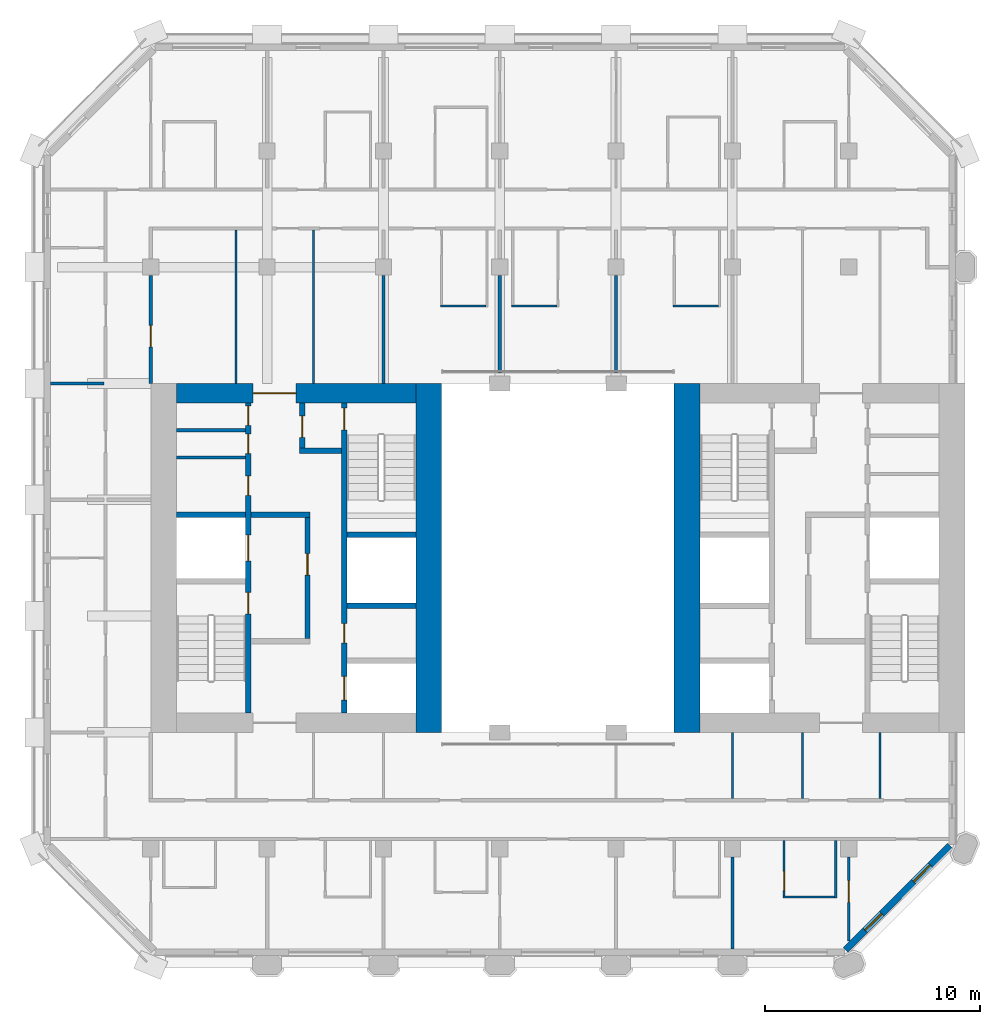
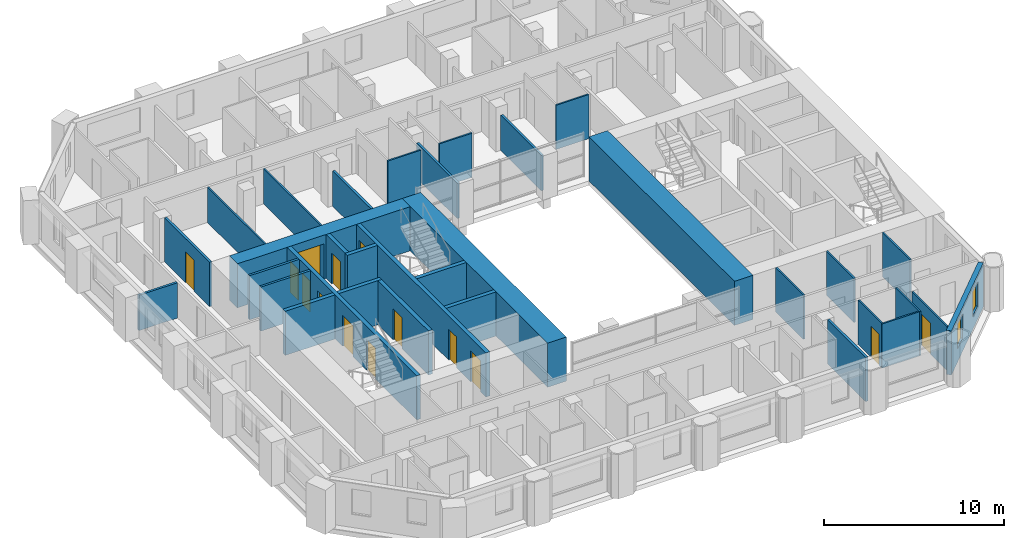
# One storey, part 8 of 14: 33 walls, 14 doors, 2 windows, 16 openings.
"""IFC4 building model written with IfcOpenShell, lengths in metres."""

from ifc_helpers import new_model, si_unit, direction, frame, frame_2d, origin, place, context, subcontext, project, spatial, rectangle, extrude, material, layer, layer_set, type_object, element, fill, save


model = new_model("IFC4")

# Units and contexts
model_context = context("Model", 3, precision=1e-05, world=origin(), true_north=direction((0.0, 1.0)))
body_context = subcontext(model_context, "Body", "Model", "MODEL_VIEW")
ifc_project = project(units=[si_unit("LENGTHUNIT", "METRE"), si_unit("AREAUNIT", "SQUARE_METRE"), si_unit("VOLUMEUNIT", "CUBIC_METRE"), si_unit("PLANEANGLEUNIT", "RADIAN"), si_unit("MASSUNIT", "GRAM", prefix="KILO")], contexts=[model_context])

# Site, building, storey
site_placement = place(None, origin())
site = spatial("IfcSite", under=ifc_project, at=site_placement, CompositionType="ELEMENT")
building_placement = place(site_placement, origin())
building = spatial("IfcBuilding", under=site, at=building_placement, Name="Tabaq Tower and Sports Hall", CompositionType="ELEMENT")
storey_placement = place(building_placement, frame((0.0, 0.0, 223.60009765625)))
storey = spatial("IfcBuildingStorey", under=building, at=storey_placement, Name="L56", CompositionType="ELEMENT", Elevation=223.60009765625)

# Walls
ifc_material_1 = material(Name="Blockwork", Category="masonry")
ifc_layer_1 = layer(ifc_material_1, 0.14990234375)
ifc_layer_set_1 = layer_set([ifc_layer_1], Name="Core room partition 150 Blockwork")
wall_type_1 = type_object("IfcWallType", Name="Core room partition 150 Blockwork", PredefinedType="PARTITIONING", material=ifc_layer_set_1)
for number, where, z_axis, x_axis, name in (
    (1, (6.60009765625, 28.962890625, 0.0), (0.0, 0.0, 1.0), (1.0, 0.0, 0.0), "Core room partition W L56"),
    (2, (6.60009765625, 30.23193359375, 0.0), (0.0, 0.0, 1.0), (1.0, 0.0, 0.0), "Core room partition W L56"),
):
    element("IfcWall", number, at=place(storey_placement, frame(where, z_axis=z_axis, x_axis=x_axis)), inside=storey, type_object=wall_type_1, Name=name, PredefinedType="PARTITIONING", context=body_context, shape_type="SweptSolid", body=[
        extrude(rectangle(XDim=3.199951171875, YDim=0.14990234375, at=frame_2d((1.60009765625, 0.0))), origin(), (0.0, 0.0, 1.0), 3.0),
    ])
ifc_material_2 = material(Name="Concrete C50/60", Category="concrete")
ifc_layer_2 = layer(ifc_material_2, 1.199951171875)
ifc_layer_set_2 = layer_set([ifc_layer_2], Name="Core wall 1200 Concrete C50/60")
wall_type_2 = type_object("IfcWallType", Name="Core wall 1200 Concrete C50/60", PredefinedType="SOLIDWALL", material=ifc_layer_set_2)
for number, where, z_axis, x_axis, name in (
    (3, (18.300048828125, 32.39990234375, 0.0), (0.0, 0.0, 1.0), (0.0, -1.0, 0.0), "Core wall W L56"),
    (4, (30.300048828125, 16.199951171875, 0.0), (0.0, 0.0, 1.0), (0.0, 1.0, 0.0), "Core wall E L56"),
):
    element("IfcWall", number, at=place(storey_placement, frame(where, z_axis=z_axis, x_axis=x_axis)), inside=storey, type_object=wall_type_2, Name=name, PredefinedType="SOLIDWALL", context=body_context, shape_type="SweptSolid", body=[
        extrude(rectangle(XDim=16.199951171875, YDim=1.199951171875, at=frame_2d((8.10009765625, 0.0))), origin(), (0.0, 0.0, 1.0), 3.0),
    ])

# Wall, opening, door
ifc_material_3 = material(Name="Concrete C50/60", Category="concrete")
ifc_layer_3 = layer(ifc_material_3, 0.89990234375)
ifc_layer_set_3 = layer_set([ifc_layer_3], Name="Core wall 900 Concrete C50/60")
wall_type_3 = type_object("IfcWallType", Name="Core wall 900 Concrete C50/60", PredefinedType="SOLIDWALL", material=ifc_layer_set_3)
wall_1_placement = place(storey_placement, frame((6.60009765625, 31.949951171875, 0.0), z_axis=(0.0, 0.0, 1.0), x_axis=(1.0, 0.0, 0.0)))
wall_1 = element("IfcWall", 5, at=wall_1_placement, inside=storey, type_object=wall_type_3, Name="Core wall W L56", PredefinedType="SOLIDWALL", context=body_context, shape_type="SweptSolid", body=[
    extrude(rectangle(XDim=11.099853515625, YDim=0.89990234375, at=frame_2d((5.5498046875, 0.0))), origin(), (0.0, 0.0, 1.0), 3.0),
])
opening_1_placement = place(wall_1_placement, frame((3.550048828125, 0.0, 0.0)))
opening_1 = element("IfcOpeningElement", 6, at=opening_1_placement, cuts=wall_1, Name="Opening PD-WL56-02", PredefinedType="OPENING", context=body_context, shape_type="SweptSolid", body=[
    extrude(rectangle(XDim=2.0, YDim=2.39990234375, at=frame_2d((1.0, 1.199951171875))), frame((0.0, 0.449951171875, 0.0), z_axis=(0.0, -1.0, 0.0), x_axis=(1.0, 0.0, 0.0)), (0.0, 0.0, 1.0), 0.89990234375),
])
ifc_material_4 = material(Name="Steel fire door", Category="steel")
door_type_1 = type_object("IfcDoorType", Name="Core entrance door 2000", OperationType="DOUBLE_DOOR_SINGLE_SWING", PredefinedType="DOOR", material=ifc_material_4)
door_1_placement = place(opening_1_placement, origin())
door_1 = element("IfcDoor", 7, at=door_1_placement, inside=storey, type_object=door_type_1, Name="Core entrance north W L56", OperationType="DOUBLE_DOOR_SINGLE_SWING", OverallHeight=2.39990234375, OverallWidth=2.0, PredefinedType="DOOR", context=body_context, shape_type="SweptSolid", body=[
    extrude(rectangle(XDim=2.0, YDim=2.39990234375, at=frame_2d((1.0, 1.199951171875))), frame((0.0, 0.02490234375, 0.0), z_axis=(0.0, -1.0, 0.0), x_axis=(1.0, 0.0, 0.0)), (0.0, 0.0, 1.0), 0.050048828125),
])
fill(opening_1, door_1)

# Walls
ifc_material_5 = material(Name="Gypsum board on steel studs", Category="steel")
ifc_layer_4 = layer(ifc_material_5, 0.10009765625)
ifc_layer_set_4 = layer_set([ifc_layer_4], Name="Partition 100 Gypsum board")
wall_type_4 = type_object("IfcWallType", Name="Partition 100 Gypsum board", PredefinedType="PARTITIONING", material=ifc_layer_set_4)
for number, where, z_axis, x_axis, name in (
    (8, (31.75, 36.0, 0.0), (0.0, 0.0, 1.0), (-1.0, 0.0, 0.0), "Partition wall L56"),
    (9, (24.25, 36.0, 0.0), (0.0, 0.0, 1.0), (-1.0, 0.0, 0.0), "Partition wall L56"),
):
    element("IfcWall", number, at=place(storey_placement, frame(where, z_axis=z_axis, x_axis=x_axis)), inside=storey, type_object=wall_type_4, Name=name, PredefinedType="PARTITIONING", context=body_context, shape_type="SweptSolid", body=[
        extrude(rectangle(XDim=2.10009765625, YDim=0.10009765625, at=frame_2d((1.050048828125, 0.0))), origin(), (0.0, 0.0, 1.0), 3.0),
    ])
wall_2_placement = place(storey_placement, frame((20.949951171875, 36.0, 0.0), z_axis=(0.0, 0.0, 1.0), x_axis=(-1.0, 0.0, 0.0)))
element("IfcWall", 10, at=wall_2_placement, inside=storey, type_object=wall_type_4, Name="Partition wall L56", PredefinedType="PARTITIONING", context=body_context, shape_type="SweptSolid", body=[
    extrude(rectangle(XDim=2.099853515625, YDim=0.10009765625, at=frame_2d((1.0498046875, 0.0))), origin(), (0.0, 0.0, 1.0), 3.0),
])
for number, where, z_axis, x_axis, name in (
    (11, (12.949951171875, 32.39990234375, 0.0), (0.0, 0.0, 1.0), (0.0, 1.0, 0.0), "Partition wall L56"),
    (12, (9.35009765625, 39.52490234375, 0.0), (0.0, 0.0, 1.0), (0.0, -1.0, 0.0), "Partition wall L56"),
):
    element("IfcWall", number, at=place(storey_placement, frame(where, z_axis=z_axis, x_axis=x_axis)), inside=storey, type_object=wall_type_4, Name=name, PredefinedType="PARTITIONING", context=body_context, shape_type="SweptSolid", body=[
        extrude(rectangle(XDim=7.125, YDim=0.10009765625, at=frame_2d((3.5625, 0.0))), origin(), (0.0, 0.0, 1.0), 2.39990234375),
    ])

# Wall, opening, door
wall_3_placement = place(storey_placement, frame((37.800048828125, 6.51220703125, 0.0), z_axis=(0.0, 0.0, 1.0), x_axis=(0.0, 1.0, 0.0)))
wall_3 = element("IfcWall", 13, at=wall_3_placement, inside=storey, type_object=wall_type_4, Name="Partition wall L56", PredefinedType="PARTITIONING", context=body_context, shape_type="SweptSolid", body=[
    extrude(rectangle(XDim=3.892822265625, YDim=0.10009765625, at=frame_2d((1.9462890625, 0.0))), origin(), (0.0, 0.0, 1.0), 3.0),
])
opening_2_placement = place(wall_3_placement, frame((1.80029296875, 0.0, 0.0)))
opening_2 = element("IfcOpeningElement", 14, at=opening_2_placement, cuts=wall_3, Name="Opening L56-041", PredefinedType="OPENING", context=body_context, shape_type="SweptSolid", body=[
    extrude(rectangle(XDim=1.0, YDim=2.10009765625, at=frame_2d((0.5, 1.050048828125))), frame((0.0, 0.050048828125, 0.0), z_axis=(0.0, -1.0, 0.0), x_axis=(1.0, 0.0, 0.0)), (0.0, 0.0, 1.0), 0.10009765625),
])
ifc_material_6 = material(Name="Timber leaf in steel frame", Category="steel")
door_type_2 = type_object("IfcDoorType", Name="Internal door 1000 right hand", OperationType="SINGLE_SWING_RIGHT", PredefinedType="DOOR", material=ifc_material_6)
door_2_placement = place(opening_2_placement, origin())
door_2 = element("IfcDoor", 15, at=door_2_placement, inside=storey, type_object=door_type_2, Name="Internal door L56-041", OperationType="SINGLE_SWING_RIGHT", OverallHeight=2.10009765625, OverallWidth=1.0, PredefinedType="DOOR", context=body_context, shape_type="SweptSolid", body=[
    extrude(rectangle(XDim=1.0, YDim=2.10009765625, at=frame_2d((0.5, 1.050048828125))), frame((0.0, 0.02490234375, 0.0), z_axis=(0.0, -1.0, 0.0), x_axis=(1.0, 0.0, 0.0)), (0.0, 0.0, 1.0), 0.050048828125),
])
fill(opening_2, door_2)

# Walls
wall_4_placement = place(storey_placement, frame((37.199951171875, 11.175048828125, 0.0), z_axis=(0.0, 0.0, 1.0), x_axis=(0.0, -1.0, 0.0)))
element("IfcWall", 16, at=wall_4_placement, inside=storey, type_object=wall_type_4, Name="Partition wall L56", PredefinedType="PARTITIONING", context=body_context, shape_type="SweptSolid", body=[
    extrude(rectangle(XDim=2.675048828125, YDim=0.10009765625, at=frame_2d((1.33740234375, 0.0))), origin(), (0.0, 0.0, 1.0), 3.0),
])
wall_5_placement = place(storey_placement, frame((37.14990234375, 8.550048828125, 0.0), z_axis=(0.0, 0.0, 1.0), x_axis=(-1.0, 0.0, 0.0)))
element("IfcWall", 17, at=wall_5_placement, inside=storey, type_object=wall_type_4, Name="Partition wall L56", PredefinedType="PARTITIONING", context=body_context, shape_type="SweptSolid", body=[
    extrude(rectangle(XDim=2.39990234375, YDim=0.10009765625, at=frame_2d((1.199951171875, 0.0))), origin(), (0.0, 0.0, 1.0), 3.0),
])

# Wall, opening, door
wall_6_placement = place(storey_placement, frame((34.800048828125, 8.60009765625, 0.0), z_axis=(0.0, 0.0, 1.0), x_axis=(0.0, 1.0, 0.0)))
wall_6 = element("IfcWall", 18, at=wall_6_placement, inside=storey, type_object=wall_type_4, Name="Partition wall L56", PredefinedType="PARTITIONING", context=body_context, shape_type="SweptSolid", body=[
    extrude(rectangle(XDim=2.574951171875, YDim=0.10009765625, at=frame_2d((1.28759765625, 0.0))), origin(), (0.0, 0.0, 1.0), 3.0),
])
opening_3_placement = place(wall_6_placement, frame((0.25, 0.0, 0.0)))
opening_3 = element("IfcOpeningElement", 19, at=opening_3_placement, cuts=wall_6, Name="Opening L56-016", PredefinedType="OPENING", context=body_context, shape_type="SweptSolid", body=[
    extrude(rectangle(XDim=0.89990234375, YDim=2.10009765625, at=frame_2d((0.449951171875, 1.050048828125))), frame((0.0, 0.050048828125, 0.0), z_axis=(0.0, -1.0, 0.0), x_axis=(1.0, 0.0, 0.0)), (0.0, 0.0, 1.0), 0.10009765625),
])
ifc_material_7 = material(Name="Timber leaf in steel frame", Category="steel")
door_type_3 = type_object("IfcDoorType", Name="Internal door 900 right hand", OperationType="SINGLE_SWING_RIGHT", PredefinedType="DOOR", material=ifc_material_7)
door_3_placement = place(opening_3_placement, origin())
door_3 = element("IfcDoor", 20, at=door_3_placement, inside=storey, type_object=door_type_3, Name="Internal door L56-016", OperationType="SINGLE_SWING_RIGHT", OverallHeight=2.10009765625, OverallWidth=0.89990234375, PredefinedType="DOOR", context=body_context, shape_type="SweptSolid", body=[
    extrude(rectangle(XDim=0.89990234375, YDim=2.10009765625, at=frame_2d((0.449951171875, 1.050048828125))), frame((0.0, 0.02490234375, 0.0), z_axis=(0.0, -1.0, 0.0), x_axis=(1.0, 0.0, 0.0)), (0.0, 0.0, 1.0), 0.050048828125),
])
fill(opening_3, door_3)

# Walls
for number, where, z_axis, x_axis, name in (
    (21, (32.39990234375, 13.125, 0.0), (0.0, 0.0, 1.0), (0.0, 1.0, 0.0), "Partition wall L56"),
    (22, (39.25, 13.125, 0.0), (0.0, 0.0, 1.0), (0.0, 1.0, 0.0), "Partition wall L56"),
    (23, (35.64990234375, 16.199951171875, 0.0), (0.0, 0.0, 1.0), (0.0, -1.0, 0.0), "Partition wall L56"),
):
    element("IfcWall", number, at=place(storey_placement, frame(where, z_axis=z_axis, x_axis=x_axis)), inside=storey, type_object=wall_type_4, Name=name, PredefinedType="PARTITIONING", context=body_context, shape_type="SweptSolid", body=[
        extrude(rectangle(XDim=3.074951171875, YDim=0.10009765625, at=frame_2d((1.53759765625, 0.0))), origin(), (0.0, 0.0, 1.0), 3.0),
    ])
ifc_material_8 = material(Name="Blockwork", Category="masonry")
ifc_layer_5 = layer(ifc_material_8, 0.14990234375)
ifc_layer_set_5 = layer_set([ifc_layer_5], Name="Separating wall 150 Blockwork")
wall_type_5 = type_object("IfcWallType", Name="Separating wall 150 Blockwork", PredefinedType="PARTITIONING", material=ifc_layer_set_5)
for number, where, z_axis, x_axis, name in (
    (24, (27.0, 37.405029296875, 0.0), (0.0, 0.0, 1.0), (0.0, -1.0, 0.0), "Separating wall L56"),
    (25, (21.60009765625, 37.405029296875, 0.0), (0.0, 0.0, 1.0), (0.0, -1.0, 0.0), "Separating wall L56"),
):
    element("IfcWall", number, at=place(storey_placement, frame(where, z_axis=z_axis, x_axis=x_axis)), inside=storey, type_object=wall_type_5, Name=name, PredefinedType="PARTITIONING", context=body_context, shape_type="SweptSolid", body=[
        extrude(rectangle(XDim=4.510009765625, YDim=0.14990234375, at=frame_2d((2.2548828125, 0.0))), origin(), (0.0, 0.0, 1.0), 2.39990234375),
    ])
wall_7_placement = place(storey_placement, frame((16.199951171875, 37.405029296875, 0.0), z_axis=(0.0, 0.0, 1.0), x_axis=(0.0, -1.0, 0.0)))
element("IfcWall", 26, at=wall_7_placement, inside=storey, type_object=wall_type_5, Name="Separating wall L56", PredefinedType="PARTITIONING", context=body_context, shape_type="SweptSolid", body=[
    extrude(rectangle(XDim=5.005126953125, YDim=0.14990234375, at=frame_2d((2.50244140625, 0.0))), origin(), (0.0, 0.0, 1.0), 2.39990234375),
])
wall_8_placement = place(storey_placement, frame((0.7509765625, 32.39990234375, 0.0), z_axis=(0.0, 0.0, 1.0), x_axis=(1.0, 0.0, 0.0)))
element("IfcWall", 27, at=wall_8_placement, inside=storey, type_object=wall_type_5, Name="Separating wall L56", PredefinedType="PARTITIONING", context=body_context, shape_type="SweptSolid", body=[
    extrude(rectangle(XDim=2.47412109375, YDim=0.14990234375, at=frame_2d((1.237060546875, 0.0))), origin(), (0.0, 0.0, 1.0), 2.39990234375),
])

# Wall, opening, door
wall_9_placement = place(storey_placement, frame((5.39990234375, 32.39990234375, 0.0), z_axis=(0.0, 0.0, 1.0), x_axis=(0.0, 1.0, 0.0)))
wall_9 = element("IfcWall", 28, at=wall_9_placement, inside=storey, type_object=wall_type_5, Name="Separating wall L56", PredefinedType="PARTITIONING", context=body_context, shape_type="SweptSolid", body=[
    extrude(rectangle(XDim=5.005126953125, YDim=0.14990234375, at=frame_2d((2.50244140625, 0.0))), origin(), (0.0, 0.0, 1.0), 3.0),
])
opening_4_placement = place(wall_9_placement, frame((1.699951171875, 0.0, 0.0)))
opening_4 = element("IfcOpeningElement", 29, at=opening_4_placement, cuts=wall_9, Name="Opening L56-013", PredefinedType="OPENING", context=body_context, shape_type="SweptSolid", body=[
    extrude(rectangle(XDim=1.0, YDim=2.10009765625, at=frame_2d((0.5, 1.050048828125))), frame((0.0, 0.074951171875, 0.0), z_axis=(0.0, -1.0, 0.0), x_axis=(1.0, 0.0, 0.0)), (0.0, 0.0, 1.0), 0.14990234375),
])
door_4_placement = place(opening_4_placement, origin())
door_4 = element("IfcDoor", 30, at=door_4_placement, inside=storey, type_object=door_type_2, Name="Internal door L56-013", OperationType="SINGLE_SWING_RIGHT", OverallHeight=2.10009765625, OverallWidth=1.0, PredefinedType="DOOR", context=body_context, shape_type="SweptSolid", body=[
    extrude(rectangle(XDim=1.0, YDim=2.10009765625, at=frame_2d((0.5, 1.050048828125))), frame((0.0, 0.02490234375, 0.0), z_axis=(0.0, -1.0, 0.0), x_axis=(1.0, 0.0, 0.0)), (0.0, 0.0, 1.0), 0.050048828125),
])
fill(opening_4, door_4)

# Wall
wall_10_placement = place(storey_placement, frame((32.39990234375, 10.405029296875, 0.0), z_axis=(0.0, 0.0, 1.0), x_axis=(0.0, -1.0, 0.0)))
element("IfcWall", 31, at=wall_10_placement, inside=storey, type_object=wall_type_5, Name="Separating wall L56", PredefinedType="PARTITIONING", context=body_context, shape_type="SweptSolid", body=[
    extrude(rectangle(XDim=4.254150390625, YDim=0.14990234375, at=frame_2d((2.126953125, 0.0))), origin(), (0.0, 0.0, 1.0), 3.0),
])

# Wall, openings, doors
ifc_material_9 = material(Name="Concrete C40/50", Category="concrete")
ifc_layer_6 = layer(ifc_material_9, 0.25)
ifc_layer_set_6 = layer_set([ifc_layer_6], Name="Shaft and stair wall 250 Concrete C40/50")
wall_type_6 = type_object("IfcWallType", Name="Shaft and stair wall 250 Concrete C40/50", PredefinedType="SOLIDWALL", material=ifc_layer_set_6)
wall_11_placement = place(storey_placement, frame((9.925048828125, 17.10009765625, 0.0), z_axis=(0.0, 0.0, 1.0), x_axis=(0.0, 1.0, 0.0)))
wall_11 = element("IfcWall", 32, at=wall_11_placement, inside=storey, type_object=wall_type_6, Name="Shaft wall W L56", PredefinedType="SOLIDWALL", context=body_context, shape_type="SweptSolid", body=[
    extrude(rectangle(XDim=14.39990234375, YDim=0.25, at=frame_2d((7.199951171875, 0.0))), origin(), (0.0, 0.0, 1.0), 3.0),
])
opening_5_placement = place(wall_11_placement, frame((4.60009765625, 0.0, 0.0)))
opening_5 = element("IfcOpeningElement", 33, at=opening_5_placement, cuts=wall_11, Name="Opening SD-WL56-03", PredefinedType="OPENING", context=body_context, shape_type="SweptSolid", body=[
    extrude(rectangle(XDim=1.0, YDim=2.10009765625, at=frame_2d((0.5, 1.050048828125))), frame((0.0, 0.125, 0.0), z_axis=(0.0, -1.0, 0.0), x_axis=(1.0, 0.0, 0.0)), (0.0, 0.0, 1.0), 0.25),
])
opening_6_placement = place(wall_11_placement, frame((7.0625, 0.0, 0.0)))
opening_6 = element("IfcOpeningElement", 34, at=opening_6_placement, cuts=wall_11, Name="Opening LD-FF1-L56", PredefinedType="OPENING", context=body_context, shape_type="SweptSolid", body=[
    extrude(rectangle(XDim=1.199951171875, YDim=2.10009765625, at=frame_2d((0.60009765625, 1.050048828125))), frame((0.0, 0.125, 0.0), z_axis=(0.0, -1.0, 0.0), x_axis=(1.0, 0.0, 0.0)), (0.0, 0.0, 1.0), 0.25),
])
opening_7_placement = place(wall_11_placement, frame((10.1064453125, 0.0, 0.0)))
opening_7 = element("IfcOpeningElement", 35, at=opening_7_placement, cuts=wall_11, Name="Opening RD-WL56-09", PredefinedType="OPENING", context=body_context, shape_type="SweptSolid", body=[
    extrude(rectangle(XDim=0.89990234375, YDim=2.10009765625, at=frame_2d((0.449951171875, 1.050048828125))), frame((0.0, 0.125, 0.0), z_axis=(0.0, -1.0, 0.0), x_axis=(1.0, 0.0, 0.0)), (0.0, 0.0, 1.0), 0.25),
])
opening_8_placement = place(wall_11_placement, frame((12.047607421875, 0.0, 0.0)))
opening_8 = element("IfcOpeningElement", 36, at=opening_8_placement, cuts=wall_11, Name="Opening RD-WL56-10", PredefinedType="OPENING", context=body_context, shape_type="SweptSolid", body=[
    extrude(rectangle(XDim=0.89990234375, YDim=2.10009765625, at=frame_2d((0.449951171875, 1.050048828125))), frame((0.0, 0.125, 0.0), z_axis=(0.0, -1.0, 0.0), x_axis=(1.0, 0.0, 0.0)), (0.0, 0.0, 1.0), 0.25),
])
opening_9_placement = place(wall_11_placement, frame((13.353515625, 0.0, 0.0)))
opening_9 = element("IfcOpeningElement", 37, at=opening_9_placement, cuts=wall_11, Name="Opening RD-WL56-11", PredefinedType="OPENING", context=body_context, shape_type="SweptSolid", body=[
    extrude(rectangle(XDim=0.89990234375, YDim=2.10009765625, at=frame_2d((0.449951171875, 1.050048828125))), frame((0.0, 0.125, 0.0), z_axis=(0.0, -1.0, 0.0), x_axis=(1.0, 0.0, 0.0)), (0.0, 0.0, 1.0), 0.25),
])
ifc_material_10 = material(Name="Steel fire door", Category="steel")
door_type_4 = type_object("IfcDoorType", Name="Core room door 900", OperationType="SINGLE_SWING_LEFT", PredefinedType="DOOR", material=ifc_material_10)
door_5_placement = place(opening_7_placement, origin())
door_5 = element("IfcDoor", 38, at=door_5_placement, inside=storey, type_object=door_type_4, Name="Door Unisex WC W L56", OperationType="SINGLE_SWING_LEFT", OverallHeight=2.10009765625, OverallWidth=0.89990234375, PredefinedType="DOOR", context=body_context, shape_type="SweptSolid", body=[
    extrude(rectangle(XDim=0.89990234375, YDim=2.10009765625, at=frame_2d((0.449951171875, 1.050048828125))), frame((0.0, 0.02490234375, 0.0), z_axis=(0.0, -1.0, 0.0), x_axis=(1.0, 0.0, 0.0)), (0.0, 0.0, 1.0), 0.050048828125),
])
fill(opening_7, door_5)
door_6_placement = place(opening_8_placement, origin())
door_6 = element("IfcDoor", 39, at=door_6_placement, inside=storey, type_object=door_type_4, Name="Door Cleaner's Store W L56", OperationType="SINGLE_SWING_LEFT", OverallHeight=2.10009765625, OverallWidth=0.89990234375, PredefinedType="DOOR", context=body_context, shape_type="SweptSolid", body=[
    extrude(rectangle(XDim=0.89990234375, YDim=2.10009765625, at=frame_2d((0.449951171875, 1.050048828125))), frame((0.0, 0.02490234375, 0.0), z_axis=(0.0, -1.0, 0.0), x_axis=(1.0, 0.0, 0.0)), (0.0, 0.0, 1.0), 0.050048828125),
])
fill(opening_8, door_6)
door_7_placement = place(opening_9_placement, origin())
door_7 = element("IfcDoor", 40, at=door_7_placement, inside=storey, type_object=door_type_4, Name="Door Accessible WC W L56", OperationType="SINGLE_SWING_LEFT", OverallHeight=2.10009765625, OverallWidth=0.89990234375, PredefinedType="DOOR", context=body_context, shape_type="SweptSolid", body=[
    extrude(rectangle(XDim=0.89990234375, YDim=2.10009765625, at=frame_2d((0.449951171875, 1.050048828125))), frame((0.0, 0.02490234375, 0.0), z_axis=(0.0, -1.0, 0.0), x_axis=(1.0, 0.0, 0.0)), (0.0, 0.0, 1.0), 0.050048828125),
])
fill(opening_9, door_7)
ifc_material_11 = material(Name="Stainless steel", Category="steel")
door_type_5 = type_object("IfcDoorType", Name="Lift landing door 1200", OperationType="DOUBLE_DOOR_SLIDING", PredefinedType="DOOR", material=ifc_material_11)
door_8_placement = place(opening_6_placement, origin())
door_8 = element("IfcDoor", 41, at=door_8_placement, inside=storey, type_object=door_type_5, Name="Lift landing door FF1 W L56", OperationType="DOUBLE_DOOR_SLIDING", OverallHeight=2.10009765625, OverallWidth=1.199951171875, PredefinedType="DOOR", context=body_context, shape_type="SweptSolid", body=[
    extrude(rectangle(XDim=1.199951171875, YDim=2.10009765625, at=frame_2d((0.60009765625, 1.050048828125))), frame((0.0, 0.02490234375, 0.0), z_axis=(0.0, -1.0, 0.0), x_axis=(1.0, 0.0, 0.0)), (0.0, 0.0, 1.0), 0.050048828125),
])
fill(opening_6, door_8)
ifc_material_12 = material(Name="Steel fire door", Category="steel")
door_type_6 = type_object("IfcDoorType", Name="Stair door 1000", OperationType="SINGLE_SWING_LEFT", PredefinedType="DOOR", material=ifc_material_12)
door_9_placement = place(opening_5_placement, origin())
door_9 = element("IfcDoor", 42, at=door_9_placement, inside=storey, type_object=door_type_6, Name="Stair door ST1 W L56", OperationType="SINGLE_SWING_LEFT", OverallHeight=2.10009765625, OverallWidth=1.0, PredefinedType="DOOR", context=body_context, shape_type="SweptSolid", body=[
    extrude(rectangle(XDim=1.0, YDim=2.10009765625, at=frame_2d((0.5, 1.050048828125))), frame((0.0, 0.02490234375, 0.0), z_axis=(0.0, -1.0, 0.0), x_axis=(1.0, 0.0, 0.0)), (0.0, 0.0, 1.0), 0.050048828125),
])
fill(opening_5, door_9)

wall_12_placement = place(storey_placement, frame((14.375, 17.10009765625, 0.0), z_axis=(0.0, 0.0, 1.0), x_axis=(0.0, 1.0, 0.0)))
wall_12 = element("IfcWall", 43, at=wall_12_placement, inside=storey, type_object=wall_type_6, Name="Shaft wall W L56", PredefinedType="SOLIDWALL", context=body_context, shape_type="SweptSolid", body=[
    extrude(rectangle(XDim=14.39990234375, YDim=0.25, at=frame_2d((7.199951171875, 0.0))), origin(), (0.0, 0.0, 1.0), 3.0),
])
opening_10_placement = place(wall_12_placement, frame((13.14990234375, 0.0, 0.0)))
opening_10 = element("IfcOpeningElement", 44, at=opening_10_placement, cuts=wall_12, Name="Opening SD-WL56-05", PredefinedType="OPENING", context=body_context, shape_type="SweptSolid", body=[
    extrude(rectangle(XDim=1.0, YDim=2.10009765625, at=frame_2d((0.5, 1.050048828125))), frame((0.0, 0.125, 0.0), z_axis=(0.0, -1.0, 0.0), x_axis=(1.0, 0.0, 0.0)), (0.0, 0.0, 1.0), 0.25),
])
opening_11_placement = place(wall_12_placement, frame((0.60009765625, 0.0, 0.0)))
opening_11 = element("IfcOpeningElement", 45, at=opening_11_placement, cuts=wall_12, Name="Opening LD-MR1-L56", PredefinedType="OPENING", context=body_context, shape_type="SweptSolid", body=[
    extrude(rectangle(XDim=1.10009765625, YDim=2.10009765625, at=frame_2d((0.550048828125, 1.050048828125))), frame((0.0, 0.125, 0.0), z_axis=(0.0, -1.0, 0.0), x_axis=(1.0, 0.0, 0.0)), (0.0, 0.0, 1.0), 0.25),
])
opening_12_placement = place(wall_12_placement, frame((3.25, 0.0, 0.0)))
opening_12 = element("IfcOpeningElement", 46, at=opening_12_placement, cuts=wall_12, Name="Opening RD-WL56-12", PredefinedType="OPENING", context=body_context, shape_type="SweptSolid", body=[
    extrude(rectangle(XDim=0.89990234375, YDim=2.10009765625, at=frame_2d((0.449951171875, 1.050048828125))), frame((0.0, 0.125, 0.0), z_axis=(0.0, -1.0, 0.0), x_axis=(1.0, 0.0, 0.0)), (0.0, 0.0, 1.0), 0.25),
])
door_10_placement = place(opening_12_placement, origin())
door_10 = element("IfcDoor", 47, at=door_10_placement, inside=storey, type_object=door_type_4, Name="Door Cleaner's Store W L56", OperationType="SINGLE_SWING_LEFT", OverallHeight=2.10009765625, OverallWidth=0.89990234375, PredefinedType="DOOR", context=body_context, shape_type="SweptSolid", body=[
    extrude(rectangle(XDim=0.89990234375, YDim=2.10009765625, at=frame_2d((0.449951171875, 1.050048828125))), frame((0.0, 0.02490234375, 0.0), z_axis=(0.0, -1.0, 0.0), x_axis=(1.0, 0.0, 0.0)), (0.0, 0.0, 1.0), 0.050048828125),
])
fill(opening_12, door_10)
ifc_material_13 = material(Name="Stainless steel", Category="steel")
door_type_7 = type_object("IfcDoorType", Name="Lift landing door 1100", OperationType="DOUBLE_DOOR_SLIDING", PredefinedType="DOOR", material=ifc_material_13)
door_11_placement = place(opening_11_placement, origin())
door_11 = element("IfcDoor", 48, at=door_11_placement, inside=storey, type_object=door_type_7, Name="Lift landing door MR1 W L56", OperationType="DOUBLE_DOOR_SLIDING", OverallHeight=2.10009765625, OverallWidth=1.10009765625, PredefinedType="DOOR", context=body_context, shape_type="SweptSolid", body=[
    extrude(rectangle(XDim=1.10009765625, YDim=2.10009765625, at=frame_2d((0.550048828125, 1.050048828125))), frame((0.0, 0.02490234375, 0.0), z_axis=(0.0, -1.0, 0.0), x_axis=(1.0, 0.0, 0.0)), (0.0, 0.0, 1.0), 0.050048828125),
])
fill(opening_11, door_11)
door_12_placement = place(opening_10_placement, origin())
door_12 = element("IfcDoor", 49, at=door_12_placement, inside=storey, type_object=door_type_6, Name="Stair door ST2 W L56", OperationType="SINGLE_SWING_LEFT", OverallHeight=2.10009765625, OverallWidth=1.0, PredefinedType="DOOR", context=body_context, shape_type="SweptSolid", body=[
    extrude(rectangle(XDim=1.0, YDim=2.10009765625, at=frame_2d((0.5, 1.050048828125))), frame((0.0, 0.02490234375, 0.0), z_axis=(0.0, -1.0, 0.0), x_axis=(1.0, 0.0, 0.0)), (0.0, 0.0, 1.0), 0.050048828125),
])
fill(opening_10, door_12)

# Walls
for number, where, z_axis, x_axis, name in (
    (50, (14.5, 25.375, 0.0), (0.0, 0.0, 1.0), (1.0, 0.0, 0.0), "Stair enclosure wall W L56"),
    (51, (14.5, 22.074951171875, 0.0), (0.0, 0.0, 1.0), (1.0, 0.0, 0.0), "Shaft wall W L56"),
    (52, (6.60009765625, 26.300048828125, 0.0), (0.0, 0.0, 1.0), (1.0, 0.0, 0.0), "Shaft wall W L56"),
):
    element("IfcWall", number, at=place(storey_placement, frame(where, z_axis=z_axis, x_axis=x_axis)), inside=storey, type_object=wall_type_6, Name=name, PredefinedType="SOLIDWALL", context=body_context, shape_type="SweptSolid", body=[
        extrude(rectangle(XDim=3.199951171875, YDim=0.25, at=frame_2d((1.60009765625, 0.0))), origin(), (0.0, 0.0, 1.0), 3.0),
    ])
wall_13_placement = place(storey_placement, frame((10.050048828125, 26.300048828125, 0.0), z_axis=(0.0, 0.0, 1.0), x_axis=(1.0, 0.0, 0.0)))
element("IfcWall", 53, at=wall_13_placement, inside=storey, type_object=wall_type_6, Name="Fire-fighting lobby wall W L56", PredefinedType="SOLIDWALL", context=body_context, shape_type="SweptSolid", body=[
    extrude(rectangle(XDim=2.75, YDim=0.25, at=frame_2d((1.375, 0.0))), origin(), (0.0, 0.0, 1.0), 3.0),
])

# Wall, opening, door
wall_14_placement = place(storey_placement, frame((12.425048828125, 29.39990234375, 0.0), z_axis=(0.0, 0.0, 1.0), x_axis=(0.0, 1.0, 0.0)))
wall_14 = element("IfcWall", 54, at=wall_14_placement, inside=storey, type_object=wall_type_6, Name="Fire-fighting lobby wall W L56", PredefinedType="SOLIDWALL", context=body_context, shape_type="SweptSolid", body=[
    extrude(rectangle(XDim=2.10009765625, YDim=0.25, at=frame_2d((1.050048828125, 0.0))), origin(), (0.0, 0.0, 1.0), 3.0),
])
opening_13_placement = place(wall_14_placement, frame((0.5, 0.0, 0.0)))
opening_13 = element("IfcOpeningElement", 55, at=opening_13_placement, cuts=wall_14, Name="Opening FD-WL56-06", PredefinedType="OPENING", context=body_context, shape_type="SweptSolid", body=[
    extrude(rectangle(XDim=1.0, YDim=2.10009765625, at=frame_2d((0.5, 1.050048828125))), frame((0.0, 0.125, 0.0), z_axis=(0.0, -1.0, 0.0), x_axis=(1.0, 0.0, 0.0)), (0.0, 0.0, 1.0), 0.25),
])
ifc_material_14 = material(Name="Steel fire door", Category="steel")
door_type_8 = type_object("IfcDoorType", Name="Fire-fighting lobby door 1000", OperationType="SINGLE_SWING_LEFT", PredefinedType="DOOR", material=ifc_material_14)
door_13_placement = place(opening_13_placement, origin())
door_13 = element("IfcDoor", 56, at=door_13_placement, inside=storey, type_object=door_type_8, Name="Stair lobby door W L56", OperationType="SINGLE_SWING_LEFT", OverallHeight=2.10009765625, OverallWidth=1.0, PredefinedType="DOOR", context=body_context, shape_type="SweptSolid", body=[
    extrude(rectangle(XDim=1.0, YDim=2.10009765625, at=frame_2d((0.5, 1.050048828125))), frame((0.0, 0.02490234375, 0.0), z_axis=(0.0, -1.0, 0.0), x_axis=(1.0, 0.0, 0.0)), (0.0, 0.0, 1.0), 0.050048828125),
])
fill(opening_13, door_13)

# Wall
wall_15_placement = place(storey_placement, frame((12.300048828125, 29.27490234375, 0.0), z_axis=(0.0, 0.0, 1.0), x_axis=(1.0, 0.0, 0.0)))
element("IfcWall", 57, at=wall_15_placement, inside=storey, type_object=wall_type_6, Name="Fire-fighting lobby wall W L56", PredefinedType="SOLIDWALL", context=body_context, shape_type="SweptSolid", body=[
    extrude(rectangle(XDim=1.949951171875, YDim=0.25, at=frame_2d((0.97509765625, 0.0))), origin(), (0.0, 0.0, 1.0), 3.0),
])

# Wall, opening, door
wall_16_placement = place(storey_placement, frame((12.675048828125, 20.550048828125, 0.0), z_axis=(0.0, 0.0, 1.0), x_axis=(0.0, 1.0, 0.0)))
wall_16 = element("IfcWall", 58, at=wall_16_placement, inside=storey, type_object=wall_type_6, Name="Fire-fighting lobby wall W L56", PredefinedType="SOLIDWALL", context=body_context, shape_type="SweptSolid", body=[
    extrude(rectangle(XDim=5.625, YDim=0.25, at=frame_2d((2.8125, 0.0))), origin(), (0.0, 0.0, 1.0), 3.0),
])
opening_14_placement = place(wall_16_placement, frame((2.949951171875, 0.0, 0.0)))
opening_14 = element("IfcOpeningElement", 59, at=opening_14_placement, cuts=wall_16, Name="Opening FD-WL56-04", PredefinedType="OPENING", context=body_context, shape_type="SweptSolid", body=[
    extrude(rectangle(XDim=1.0, YDim=2.10009765625, at=frame_2d((0.5, 1.050048828125))), frame((0.0, 0.125, 0.0), z_axis=(0.0, -1.0, 0.0), x_axis=(1.0, 0.0, 0.0)), (0.0, 0.0, 1.0), 0.25),
])
door_14_placement = place(opening_14_placement, origin())
door_14 = element("IfcDoor", 60, at=door_14_placement, inside=storey, type_object=door_type_8, Name="Fire-fighting lobby door W L56", OperationType="SINGLE_SWING_LEFT", OverallHeight=2.10009765625, OverallWidth=1.0, PredefinedType="DOOR", context=body_context, shape_type="SweptSolid", body=[
    extrude(rectangle(XDim=1.0, YDim=2.10009765625, at=frame_2d((0.5, 1.050048828125))), frame((0.0, 0.02490234375, 0.0), z_axis=(0.0, -1.0, 0.0), x_axis=(1.0, 0.0, 0.0)), (0.0, 0.0, 1.0), 0.050048828125),
])
fill(opening_14, door_14)

# Wall, openings, windows
ifc_material_15 = material(Name="White precast concrete C60/75", Category="concrete")
ifc_layer_7 = layer(ifc_material_15, 0.300048828125)
ifc_layer_set_7 = layer_set([ifc_layer_7], Name="White precast concrete C60/75 external wall 300")
wall_type_7 = type_object("IfcWallType", Name="White precast concrete C60/75 external wall 300", PredefinedType="SOLIDWALL", material=ifc_layer_set_7)
wall_17_placement = place(storey_placement, frame((37.650390625, 6.098876953125, 0.0), z_axis=(0.0, 0.0, 1.0), x_axis=(0.707106781187, 0.707106781187, 0.0)))
wall_17 = element("IfcWall", 61, at=wall_17_placement, inside=storey, type_object=wall_type_7, Name="External Wall L56 SE", PredefinedType="SOLIDWALL", context=body_context, shape_type="SweptSolid", body=[
    extrude(rectangle(XDim=6.85986328125, YDim=0.300048828125, at=frame_2d((3.429931640625, 0.0))), origin(), (0.0, 0.0, 1.0), 3.0),
])
opening_15_placement = place(wall_17_placement, frame((1.27978515625, 0.0, 0.89990234375)))
opening_15 = element("IfcOpeningElement", 62, at=opening_15_placement, cuts=wall_17, Name="Opening W1B", PredefinedType="OPENING", context=body_context, shape_type="SweptSolid", body=[
    extrude(rectangle(XDim=1.10009765625, YDim=1.699951171875, at=frame_2d((0.550048828125, 0.85009765625))), frame((0.0, 0.16015625, 0.0), z_axis=(0.0, -1.0, 0.0), x_axis=(1.0, 0.0, 0.0)), (0.0, 0.0, 1.0), 0.320068359375),
])
opening_16_placement = place(wall_17_placement, frame((4.479736328125, 0.0, 0.89990234375)))
opening_16 = element("IfcOpeningElement", 63, at=opening_16_placement, cuts=wall_17, Name="Opening W1B", PredefinedType="OPENING", context=body_context, shape_type="SweptSolid", body=[
    extrude(rectangle(XDim=1.10009765625, YDim=1.699951171875, at=frame_2d((0.550048828125, 0.85009765625))), frame((0.0, 0.16015625, 0.0), z_axis=(0.0, -1.0, 0.0), x_axis=(1.0, 0.0, 0.0)), (0.0, 0.0, 1.0), 0.320068359375),
])
ifc_material_16 = material(Name="Aluminium framed clear glazing", Category="aluminium")
window_type = type_object("IfcWindowType", Name="Window W1B", PartitioningType="SINGLE_PANEL", PredefinedType="WINDOW", material=ifc_material_16)
window_1_placement = place(opening_15_placement, origin())
window_1 = element("IfcWindow", 64, at=window_1_placement, inside=storey, type_object=window_type, Name="Window W1B L56", OverallHeight=1.699951171875, OverallWidth=1.10009765625, PartitioningType="SINGLE_PANEL", PredefinedType="WINDOW", context=body_context, shape_type="SweptSolid", body=[
    extrude(rectangle(XDim=1.10009765625, YDim=1.699951171875, at=frame_2d((0.550048828125, 0.85009765625))), frame((0.0, 0.030029296875, 0.0), z_axis=(0.0, -1.0, 0.0), x_axis=(1.0, 0.0, 0.0)), (0.0, 0.0, 1.0), 0.06005859375),
])
fill(opening_15, window_1)
window_2_placement = place(opening_16_placement, origin())
window_2 = element("IfcWindow", 65, at=window_2_placement, inside=storey, type_object=window_type, Name="Window W1B L56", OverallHeight=1.699951171875, OverallWidth=1.10009765625, PartitioningType="SINGLE_PANEL", PredefinedType="WINDOW", context=body_context, shape_type="SweptSolid", body=[
    extrude(rectangle(XDim=1.10009765625, YDim=1.699951171875, at=frame_2d((0.550048828125, 0.85009765625))), frame((0.0, 0.030029296875, 0.0), z_axis=(0.0, -1.0, 0.0), x_axis=(1.0, 0.0, 0.0)), (0.0, 0.0, 1.0), 0.06005859375),
])
fill(opening_16, window_2)

save(model, "model.ifc")
